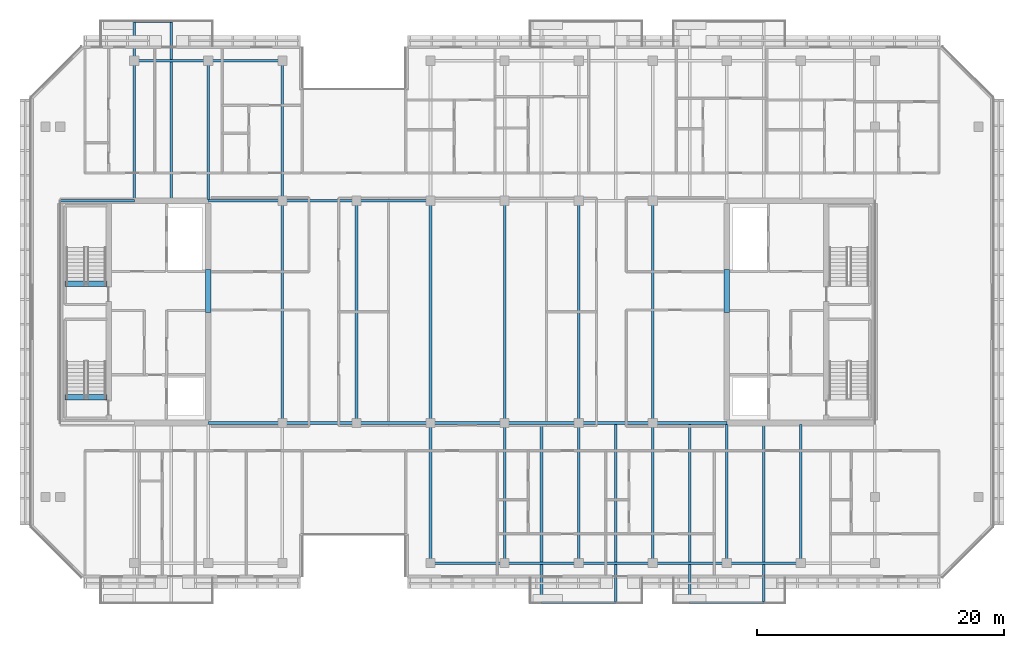
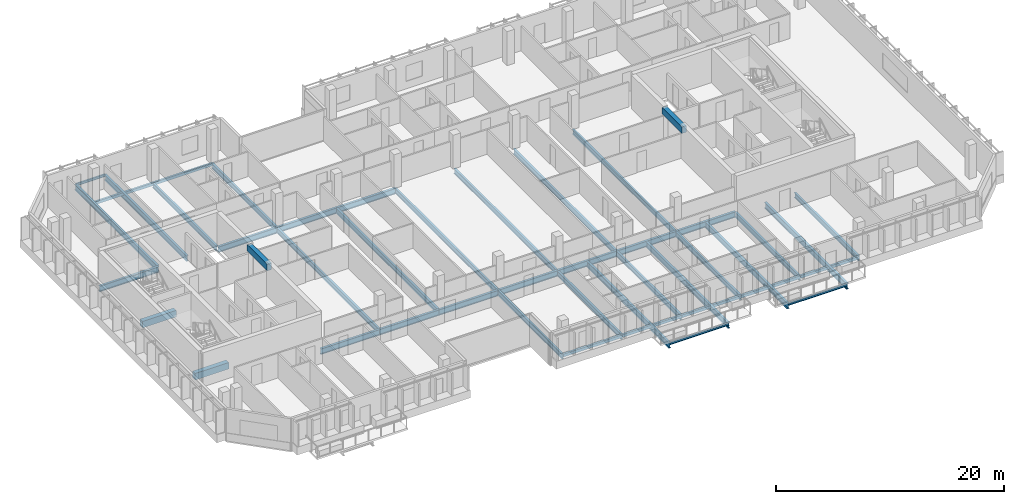
# One storey, part 3 of 17: 45 beams.
"""IFC4 building model written with IfcOpenShell, lengths in metres."""

from ifc_helpers import new_model, si_unit, direction, frame, origin, origin_2d, place, context, subcontext, project, spatial, rectangle, hollow_rectangle, i_section, extrude, material, material_profile, profile_set, type_object, element, save


model = new_model("IFC4")

# Units and contexts
model_context = context("Model", 3, precision=1e-05, world=origin(), true_north=direction((0.0, 1.0)))
body_context = subcontext(model_context, "Body", "Model", "MODEL_VIEW")
ifc_project = project(units=[si_unit("LENGTHUNIT", "METRE"), si_unit("AREAUNIT", "SQUARE_METRE"), si_unit("VOLUMEUNIT", "CUBIC_METRE"), si_unit("PLANEANGLEUNIT", "RADIAN"), si_unit("MASSUNIT", "GRAM", prefix="KILO")], contexts=[model_context])

# Site, building, storey
site_placement = place(None, origin())
site = spatial("IfcSite", under=ifc_project, at=site_placement, CompositionType="ELEMENT")
building_placement = place(site_placement, origin())
building = spatial("IfcBuilding", under=site, at=building_placement, Name="Tanjung Sevakor Pilgrim Tower", CompositionType="ELEMENT")
storey_placement = place(building_placement, frame((0.0, 0.0, 219.1201171875)))
storey = spatial("IfcBuildingStorey", under=building, at=storey_placement, Name="L61", CompositionType="ELEMENT", Elevation=219.1201171875)

# Beams
ifc_material_1 = material(Name="Steel S355J2", Category="steel")
ifc_material_profile_1 = material_profile(ifc_material_1, i_section(OverallWidth=0.22900390625, OverallDepth=0.6123046875, WebThickness=0.011962890625, FlangeThickness=0.01953125, FilletRadius=0.0126953125, at=origin_2d()))
ifc_profile_set_1 = profile_set([ifc_material_profile_1], Name="Steel S355J2")
beam_type_1 = type_object("IfcBeamType", Name="BM-B-G4-UB_610x229x125", PredefinedType="BEAM", material=ifc_profile_set_1)
for number, where, z_axis, x_axis, name in (
    (1, (36.0, 24.60009765625, -0.526123046875), (1.0, 0.0, 0.0), (0.0, 1.0, 0.0), "L61 Primary Floor Girder MAIN Y246-02"),
    (2, (42.0, 24.60009765625, -0.526123046875), (1.0, 0.0, 0.0), (0.0, 1.0, 0.0), "L61 Primary Floor Girder MAIN Y246-03"),
    (3, (48.0, 24.60009765625, -0.526123046875), (1.0, 0.0, 0.0), (0.0, 1.0, 0.0), "L61 Primary Floor Girder MAIN Y246-04"),
    (4, (54.0, 24.60009765625, -0.526123046875), (1.0, 0.0, 0.0), (0.0, 1.0, 0.0), "L61 Primary Floor Girder MAIN Y246-05"),
    (5, (60.0, 24.60009765625, -0.526123046875), (1.0, 0.0, 0.0), (0.0, 1.0, 0.0), "L61 Primary Floor Girder MAIN Y246-06"),
    (6, (66.0, 24.60009765625, -0.526123046875), (1.0, 0.0, 0.0), (0.0, 1.0, 0.0), "L61 Primary Floor Girder MAIN Y246-07"),
    (7, (72.0, 24.60009765625, -0.526123046875), (1.0, 0.0, 0.0), (0.0, 1.0, 0.0), "L61 Primary Floor Girder MAIN Y246-08"),
    (8, (24.0, 42.60009765625, -0.526123046875), (1.0, 0.0, 0.0), (0.0, 1.0, 0.0), "L61 Primary Floor Girder MAIN Y426-01"),
    (9, (36.0, 42.60009765625, -0.526123046875), (1.0, 0.0, 0.0), (0.0, 1.0, 0.0), "L61 Primary Floor Girder MAIN Y426-02"),
    (10, (42.0, 42.60009765625, -0.526123046875), (1.0, 0.0, 0.0), (0.0, 1.0, 0.0), "L61 Primary Floor Girder MAIN Y426-03"),
    (11, (48.0, 42.60009765625, -0.526123046875), (1.0, 0.0, 0.0), (0.0, 1.0, 0.0), "L61 Primary Floor Girder MAIN Y426-04"),
):
    element("IfcBeam", number, at=place(storey_placement, frame(where, z_axis=z_axis, x_axis=x_axis)), inside=storey, type_object=beam_type_1, Name=name, PredefinedType="BEAM", context=body_context, shape_type="SweptSolid", body=[
        extrude(i_section(OverallWidth=0.22900390625, OverallDepth=0.6123046875, WebThickness=0.011962890625, FlangeThickness=0.01953125, FilletRadius=0.0126953125, at=origin_2d()), origin(), (0.0, 0.0, 1.0), 6.0),
    ])
for number, where, z_axis, x_axis, name in (
    (12, (30.0, 42.714599609375, -0.526123046875), (0.0, 1.0, 0.0), (-1.0, 0.0, 0.0), "L61 Balcony Cantilever Beam MAIN-N1-1"),
    (13, (33.0, 42.714599609375, -0.526123046875), (0.0, 1.0, 0.0), (-1.0, 0.0, 0.0), "L61 Balcony Cantilever Beam MAIN-N1-2"),
):
    element("IfcBeam", number, at=place(storey_placement, frame(where, z_axis=z_axis, x_axis=x_axis)), inside=storey, type_object=beam_type_1, Name=name, PredefinedType="BEAM", context=body_context, shape_type="SweptSolid", body=[
        extrude(i_section(OverallWidth=0.22900390625, OverallDepth=0.6123046875, WebThickness=0.011962890625, FlangeThickness=0.01953125, FilletRadius=0.0126953125, at=origin_2d()), origin(), (0.0, 0.0, 1.0), 14.415283203125),
    ])
for number, where, z_axis, x_axis, name in (
    (14, (63.0, 24.485595703125, -0.526123046875), (0.0, -1.0, 0.0), (1.0, 0.0, 0.0), "L61 Balcony Cantilever Beam MAIN-S2-1"),
    (15, (69.0, 24.485595703125, -0.526123046875), (0.0, -1.0, 0.0), (1.0, 0.0, 0.0), "L61 Balcony Cantilever Beam MAIN-S2-2"),
    (16, (75.0, 24.485595703125, -0.526123046875), (0.0, -1.0, 0.0), (1.0, 0.0, 0.0), "L61 Balcony Cantilever Beam MAIN-S3-1"),
    (17, (81.0, 24.485595703125, -0.526123046875), (0.0, -1.0, 0.0), (1.0, 0.0, 0.0), "L61 Balcony Cantilever Beam MAIN-S3-2"),
):
    element("IfcBeam", number, at=place(storey_placement, frame(where, z_axis=z_axis, x_axis=x_axis)), inside=storey, type_object=beam_type_1, Name=name, PredefinedType="BEAM", context=body_context, shape_type="SweptSolid", body=[
        extrude(i_section(OverallWidth=0.22900390625, OverallDepth=0.6123046875, WebThickness=0.011962890625, FlangeThickness=0.01953125, FilletRadius=0.0126953125, at=origin_2d()), origin(), (0.0, 0.0, 1.0), 14.41552734375),
    ])
ifc_material_2 = material(Name="Steel S355J2", Category="steel")
ifc_material_profile_2 = material_profile(ifc_material_2, i_section(OverallWidth=0.2119140625, OverallDepth=0.54443359375, WebThickness=0.0126953125, FlangeThickness=0.021240234375, FilletRadius=0.0126953125, at=origin_2d()))
ifc_profile_set_2 = profile_set([ifc_material_profile_2], Name="Steel S355J2")
beam_type_2 = type_object("IfcBeamType", Name="BM-B-G5-UB_533x210x122", PredefinedType="BEAM", material=ifc_profile_set_2)
beam_1_placement = place(storey_placement, frame((36.0, 42.714599609375, -0.492431640625), z_axis=(0.0, 1.0, 0.0), x_axis=(-1.0, 0.0, 0.0)))
element("IfcBeam", 18, at=beam_1_placement, inside=storey, type_object=beam_type_2, Name="L61 MAIN Girder 002", PredefinedType="BEAM", context=body_context, shape_type="SweptSolid", body=[
    extrude(i_section(OverallWidth=0.2119140625, OverallDepth=0.54443359375, WebThickness=0.0126953125, FlangeThickness=0.021240234375, FilletRadius=0.0126953125, at=origin_2d()), origin(), (0.0, 0.0, 1.0), 11.2353515625),
])
beam_2_placement = place(storey_placement, frame((42.0, 24.60009765625, -0.492431640625), z_axis=(0.0, 1.0, 0.0), x_axis=(-1.0, 0.0, 0.0)))
element("IfcBeam", 19, at=beam_2_placement, inside=storey, type_object=beam_type_2, Name="L61 MAIN Girder 004", PredefinedType="BEAM", context=body_context, shape_type="SweptSolid", body=[
    extrude(i_section(OverallWidth=0.2119140625, OverallDepth=0.54443359375, WebThickness=0.0126953125, FlangeThickness=0.021240234375, FilletRadius=0.0126953125, at=origin_2d()), origin(), (0.0, 0.0, 1.0), 18.0),
])
beam_3_placement = place(storey_placement, frame((42.0, 42.60009765625, -0.492431640625), z_axis=(0.0, 1.0, 0.0), x_axis=(-1.0, 0.0, 0.0)))
element("IfcBeam", 20, at=beam_3_placement, inside=storey, type_object=beam_type_2, Name="L61 MAIN Girder 005", PredefinedType="BEAM", context=body_context, shape_type="SweptSolid", body=[
    extrude(i_section(OverallWidth=0.2119140625, OverallDepth=0.54443359375, WebThickness=0.0126953125, FlangeThickness=0.021240234375, FilletRadius=0.0126953125, at=origin_2d()), origin(), (0.0, 0.0, 1.0), 11.349853515625),
])
beam_4_placement = place(storey_placement, frame((48.0, 24.60009765625, -0.492431640625), z_axis=(0.0, 1.0, 0.0), x_axis=(-1.0, 0.0, 0.0)))
element("IfcBeam", 21, at=beam_4_placement, inside=storey, type_object=beam_type_2, Name="L61 MAIN Girder 006", PredefinedType="BEAM", context=body_context, shape_type="SweptSolid", body=[
    extrude(i_section(OverallWidth=0.2119140625, OverallDepth=0.54443359375, WebThickness=0.0126953125, FlangeThickness=0.021240234375, FilletRadius=0.0126953125, at=origin_2d()), origin(), (0.0, 0.0, 1.0), 18.0),
])
beam_5_placement = place(storey_placement, frame((54.0, 13.25, -0.492431640625), z_axis=(0.0, 1.0, 0.0), x_axis=(-1.0, 0.0, 0.0)))
element("IfcBeam", 22, at=beam_5_placement, inside=storey, type_object=beam_type_2, Name="L61 MAIN Girder 007", PredefinedType="BEAM", context=body_context, shape_type="SweptSolid", body=[
    extrude(i_section(OverallWidth=0.2119140625, OverallDepth=0.54443359375, WebThickness=0.0126953125, FlangeThickness=0.021240234375, FilletRadius=0.0126953125, at=origin_2d()), origin(), (0.0, 0.0, 1.0), 11.35009765625),
])
beam_6_placement = place(storey_placement, frame((54.0, 24.60009765625, -0.492431640625), z_axis=(0.0, 1.0, 0.0), x_axis=(-1.0, 0.0, 0.0)))
element("IfcBeam", 23, at=beam_6_placement, inside=storey, type_object=beam_type_2, Name="L61 MAIN Girder 008", PredefinedType="BEAM", context=body_context, shape_type="SweptSolid", body=[
    extrude(i_section(OverallWidth=0.2119140625, OverallDepth=0.54443359375, WebThickness=0.0126953125, FlangeThickness=0.021240234375, FilletRadius=0.0126953125, at=origin_2d()), origin(), (0.0, 0.0, 1.0), 18.0),
])
beam_7_placement = place(storey_placement, frame((60.0, 13.25, -0.492431640625), z_axis=(0.0, 1.0, 0.0), x_axis=(-1.0, 0.0, 0.0)))
element("IfcBeam", 24, at=beam_7_placement, inside=storey, type_object=beam_type_2, Name="L61 MAIN Girder 010", PredefinedType="BEAM", context=body_context, shape_type="SweptSolid", body=[
    extrude(i_section(OverallWidth=0.2119140625, OverallDepth=0.54443359375, WebThickness=0.0126953125, FlangeThickness=0.021240234375, FilletRadius=0.0126953125, at=origin_2d()), origin(), (0.0, 0.0, 1.0), 11.35009765625),
])
beam_8_placement = place(storey_placement, frame((60.0, 24.60009765625, -0.492431640625), z_axis=(0.0, 1.0, 0.0), x_axis=(-1.0, 0.0, 0.0)))
element("IfcBeam", 25, at=beam_8_placement, inside=storey, type_object=beam_type_2, Name="L61 MAIN Girder 011", PredefinedType="BEAM", context=body_context, shape_type="SweptSolid", body=[
    extrude(i_section(OverallWidth=0.2119140625, OverallDepth=0.54443359375, WebThickness=0.0126953125, FlangeThickness=0.021240234375, FilletRadius=0.0126953125, at=origin_2d()), origin(), (0.0, 0.0, 1.0), 18.0),
])
beam_9_placement = place(storey_placement, frame((66.0, 13.25, -0.492431640625), z_axis=(0.0, 1.0, 0.0), x_axis=(-1.0, 0.0, 0.0)))
element("IfcBeam", 26, at=beam_9_placement, inside=storey, type_object=beam_type_2, Name="L61 MAIN Girder 013", PredefinedType="BEAM", context=body_context, shape_type="SweptSolid", body=[
    extrude(i_section(OverallWidth=0.2119140625, OverallDepth=0.54443359375, WebThickness=0.0126953125, FlangeThickness=0.021240234375, FilletRadius=0.0126953125, at=origin_2d()), origin(), (0.0, 0.0, 1.0), 11.35009765625),
])
beam_10_placement = place(storey_placement, frame((66.0, 24.60009765625, -0.492431640625), z_axis=(0.0, 1.0, 0.0), x_axis=(-1.0, 0.0, 0.0)))
element("IfcBeam", 27, at=beam_10_placement, inside=storey, type_object=beam_type_2, Name="L61 MAIN Girder 014", PredefinedType="BEAM", context=body_context, shape_type="SweptSolid", body=[
    extrude(i_section(OverallWidth=0.2119140625, OverallDepth=0.54443359375, WebThickness=0.0126953125, FlangeThickness=0.021240234375, FilletRadius=0.0126953125, at=origin_2d()), origin(), (0.0, 0.0, 1.0), 18.0),
])
beam_11_placement = place(storey_placement, frame((72.0, 13.25, -0.492431640625), z_axis=(0.0, 1.0, 0.0), x_axis=(-1.0, 0.0, 0.0)))
element("IfcBeam", 28, at=beam_11_placement, inside=storey, type_object=beam_type_2, Name="L61 MAIN Girder 016", PredefinedType="BEAM", context=body_context, shape_type="SweptSolid", body=[
    extrude(i_section(OverallWidth=0.2119140625, OverallDepth=0.54443359375, WebThickness=0.0126953125, FlangeThickness=0.021240234375, FilletRadius=0.0126953125, at=origin_2d()), origin(), (0.0, 0.0, 1.0), 11.35009765625),
])
beam_12_placement = place(storey_placement, frame((72.0, 24.60009765625, -0.492431640625), z_axis=(0.0, 1.0, 0.0), x_axis=(-1.0, 0.0, 0.0)))
element("IfcBeam", 29, at=beam_12_placement, inside=storey, type_object=beam_type_2, Name="L61 MAIN Girder 017", PredefinedType="BEAM", context=body_context, shape_type="SweptSolid", body=[
    extrude(i_section(OverallWidth=0.2119140625, OverallDepth=0.54443359375, WebThickness=0.0126953125, FlangeThickness=0.021240234375, FilletRadius=0.0126953125, at=origin_2d()), origin(), (0.0, 0.0, 1.0), 18.0),
])
for number, where, z_axis, x_axis, name in (
    (30, (78.0, 13.25, -0.492431640625), (0.0, 1.0, 0.0), (-1.0, 0.0, 0.0), "L61 MAIN Girder 019"),
    (31, (84.0, 13.25, -0.492431640625), (0.0, 1.0, 0.0), (-1.0, 0.0, 0.0), "L61 MAIN Girder 021"),
):
    element("IfcBeam", number, at=place(storey_placement, frame(where, z_axis=z_axis, x_axis=x_axis)), inside=storey, type_object=beam_type_2, Name=name, PredefinedType="BEAM", context=body_context, shape_type="SweptSolid", body=[
        extrude(i_section(OverallWidth=0.2119140625, OverallDepth=0.54443359375, WebThickness=0.0126953125, FlangeThickness=0.021240234375, FilletRadius=0.0126953125, at=origin_2d()), origin(), (0.0, 0.0, 1.0), 11.235595703125),
    ])
ifc_material_3 = material(Name="Steel S355J2", Category="steel")
ifc_material_profile_3 = material_profile(ifc_material_3, i_section(OverallWidth=0.146484375, OverallDepth=0.256103515625, WebThickness=0.00634765625, FlangeThickness=0.010986328125, FilletRadius=0.007568359375, at=origin_2d()))
ifc_profile_set_3 = profile_set([ifc_material_profile_3], Name="Steel S355J2")
beam_type_3 = type_object("IfcBeamType", Name="BM-B-J6-UB_254x146x37", PredefinedType="JOIST", material=ifc_profile_set_3)
beam_13_placement = place(storey_placement, frame((30.0, 57.1298828125, -0.328125), z_axis=(1.0, 0.0, 0.0), x_axis=(0.0, 1.0, 0.0)))
element("IfcBeam", 32, at=beam_13_placement, inside=storey, type_object=beam_type_3, Name="L61 Balcony Rim Tie MAIN-N1", PredefinedType="JOIST", context=body_context, shape_type="SweptSolid", body=[
    extrude(i_section(OverallWidth=0.146484375, OverallDepth=0.256103515625, WebThickness=0.00634765625, FlangeThickness=0.010986328125, FilletRadius=0.007568359375, at=origin_2d()), origin(), (0.0, 0.0, 1.0), 3.0),
])
for number, where, z_axis, x_axis, name in (
    (33, (63.0, 10.070068359375, -0.328125), (1.0, 0.0, 0.0), (0.0, 1.0, 0.0), "L61 Balcony Rim Tie MAIN-S2"),
    (34, (75.0, 10.070068359375, -0.328125), (1.0, 0.0, 0.0), (0.0, 1.0, 0.0), "L61 Balcony Rim Tie MAIN-S3"),
):
    element("IfcBeam", number, at=place(storey_placement, frame(where, z_axis=z_axis, x_axis=x_axis)), inside=storey, type_object=beam_type_3, Name=name, PredefinedType="JOIST", context=body_context, shape_type="SweptSolid", body=[
        extrude(i_section(OverallWidth=0.146484375, OverallDepth=0.256103515625, WebThickness=0.00634765625, FlangeThickness=0.010986328125, FilletRadius=0.007568359375, at=origin_2d()), origin(), (0.0, 0.0, 1.0), 6.0),
    ])
ifc_material_4 = material(Name="Concrete C60/75", Category="concrete")
ifc_material_profile_4 = material_profile(ifc_material_4, rectangle(XDim=0.449951171875, YDim=0.699951171875, at=origin_2d()))
ifc_profile_set_4 = profile_set([ifc_material_profile_4], Name="Concrete C60/75")
beam_type_4 = type_object("IfcBeamType", Name="BM-B-LN3-RC-BM_450x700", PredefinedType="LINTEL", material=ifc_profile_set_4)
for number, where, z_axis, x_axis, name in (
    (35, (36.0, 33.550048828125, 3.059814453125), (0.0, 1.0, 0.0), (-1.0, 0.0, 0.0), "L61 W Core Coupling Lintel"),
    (36, (78.0, 33.550048828125, 3.059814453125), (0.0, 1.0, 0.0), (-1.0, 0.0, 0.0), "L61 E Core Coupling Lintel"),
):
    element("IfcBeam", number, at=place(storey_placement, frame(where, z_axis=z_axis, x_axis=x_axis)), inside=storey, type_object=beam_type_4, Name=name, PredefinedType="LINTEL", context=body_context, shape_type="SweptSolid", body=[
        extrude(rectangle(XDim=0.449951171875, YDim=0.699951171875, at=origin_2d()), origin(), (0.0, 0.0, 1.0), 3.5),
    ])
for number, where, z_axis, x_axis, name in (
    (37, (24.39990234375, 26.699951171875, -0.35009765625), (1.0, 0.0, 0.0), (0.0, 1.0, 0.0), "L61 TS-W1 Stair Threshold Beam"),
    (38, (24.39990234375, 35.89990234375, -0.35009765625), (1.0, 0.0, 0.0), (0.0, 1.0, 0.0), "L61 TS-W2 Stair Threshold Beam"),
):
    element("IfcBeam", number, at=place(storey_placement, frame(where, z_axis=z_axis, x_axis=x_axis)), inside=storey, type_object=beam_type_4, Name=name, PredefinedType="LINTEL", context=body_context, shape_type="SweptSolid", body=[
        extrude(rectangle(XDim=0.449951171875, YDim=0.699951171875, at=origin_2d()), origin(), (0.0, 0.0, 1.0), 3.400146484375),
    ])
ifc_material_5 = material(Name="Steel S355J2", Category="steel")
ifc_material_profile_5 = material_profile(ifc_material_5, hollow_rectangle(XDim=0.199951171875, YDim=0.300048828125, WallThickness=0.012451171875, at=origin_2d()))
ifc_profile_set_5 = profile_set([ifc_material_profile_5], Name="Steel S355J2")
beam_type_5 = type_object("IfcBeamType", Name="BM-B-SP3-RHS_300x200x12.5", PredefinedType="SPANDREL", material=ifc_profile_set_5)
for number, where, z_axis, x_axis, name in (
    (39, (30.0, 53.949951171875, -0.3701171875), (1.0, 0.0, 0.0), (0.0, 1.0, 0.0), "L61 Spandrel MAIN N-02"),
    (40, (36.0, 53.949951171875, -0.3701171875), (1.0, 0.0, 0.0), (0.0, 1.0, 0.0), "L61 Spandrel MAIN N-04"),
    (41, (54.0, 13.25, -0.3701171875), (1.0, 0.0, 0.0), (0.0, 1.0, 0.0), "L61 Spandrel MAIN S-05"),
    (42, (60.0, 13.25, -0.3701171875), (1.0, 0.0, 0.0), (0.0, 1.0, 0.0), "L61 Spandrel MAIN S-07"),
    (43, (66.0, 13.25, -0.3701171875), (1.0, 0.0, 0.0), (0.0, 1.0, 0.0), "L61 Spandrel MAIN S-09"),
    (44, (72.0, 13.25, -0.3701171875), (1.0, 0.0, 0.0), (0.0, 1.0, 0.0), "L61 Spandrel MAIN S-11"),
    (45, (78.0, 13.25, -0.3701171875), (1.0, 0.0, 0.0), (0.0, 1.0, 0.0), "L61 Spandrel MAIN S-13"),
):
    element("IfcBeam", number, at=place(storey_placement, frame(where, z_axis=z_axis, x_axis=x_axis)), inside=storey, type_object=beam_type_5, Name=name, PredefinedType="SPANDREL", context=body_context, shape_type="SweptSolid", body=[
        extrude(hollow_rectangle(XDim=0.199951171875, YDim=0.300048828125, WallThickness=0.012451171875, at=origin_2d()), origin(), (0.0, 0.0, 1.0), 6.0),
    ])

save(model, "model.ifc")
